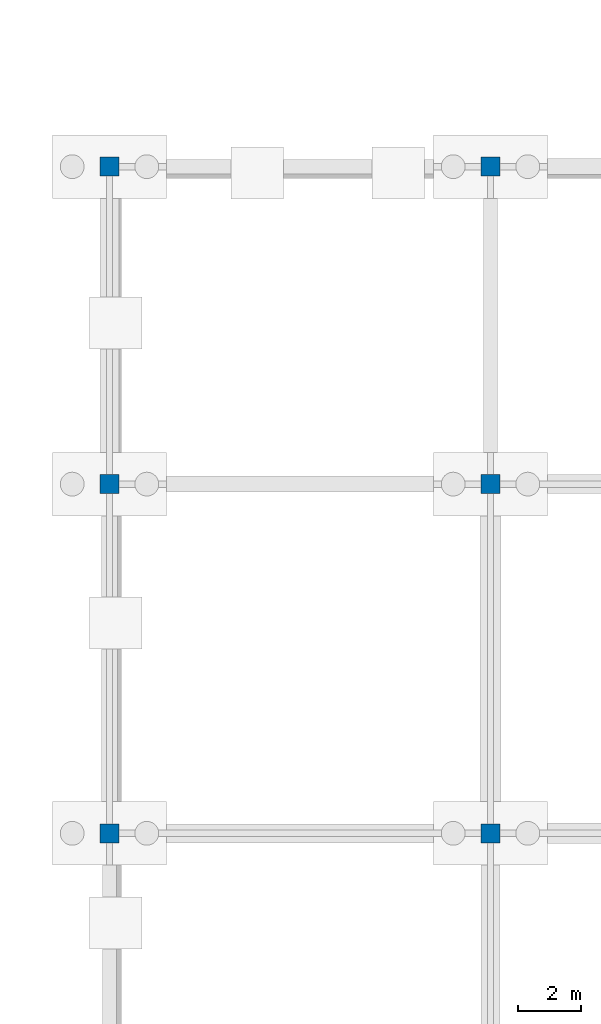
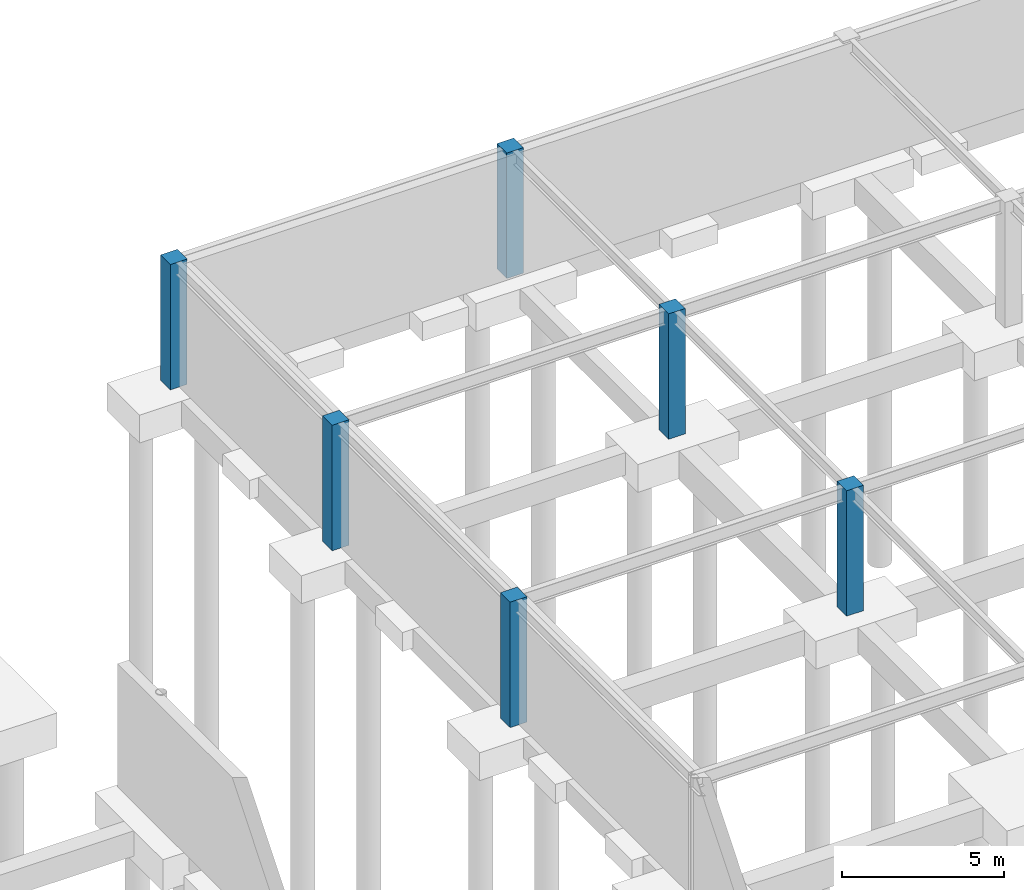
# One storey, part 47 of 75: 6 columns.
"""IFC4 building model written with IfcOpenShell, lengths in metres."""

from ifc_helpers import new_model, si_unit, derived_unit, direction, frame, origin, origin_2d_with_axis, place, context, subcontext, project, spatial, rectangle, extrude, material, material_profile, profile_set, type_object, element, save


model = new_model("IFC4")

# Units and contexts
model_context = context("Model", 3, precision=1e-05, world=origin(), true_north=direction((0.0, 1.0)))
body_context = subcontext(model_context, "Body", "Model", "MODEL_VIEW")
ifc_project = project(units=[si_unit("LENGTHUNIT", "METRE"), si_unit("AREAUNIT", "SQUARE_METRE"), si_unit("VOLUMEUNIT", "CUBIC_METRE"), si_unit("PLANEANGLEUNIT", "RADIAN"), si_unit("MASSUNIT", "GRAM", prefix="KILO"), derived_unit("THERMALTRANSMITTANCEUNIT", [(si_unit("POWERUNIT", "WATT"), 1), (si_unit("LENGTHUNIT", "METRE"), -2), (si_unit("THERMODYNAMICTEMPERATUREUNIT", "KELVIN"), -1)])], contexts=[model_context])

# Site, building, storey
site_placement = place(None, origin())
site = spatial("IfcSite", under=ifc_project, at=site_placement, CompositionType="ELEMENT")
building_placement = place(site_placement, origin())
building = spatial("IfcBuilding", under=site, at=building_placement, Name="Cinnabar Yard Market Hall", CompositionType="ELEMENT")
storey_placement = place(building_placement, frame((0.0, 0.0, -4.5)))
storey = spatial("IfcBuildingStorey", under=building, at=storey_placement, Name="B1", CompositionType="ELEMENT", Elevation=-4.5)

# Columns
ifc_material = material(Name="Concrete 40 MPa", Category="concrete")
ifc_material_profile = material_profile(ifc_material, rectangle(XDim=0.60009765625, YDim=0.60009765625, at=origin_2d_with_axis()), Name="RC-600x600")
ifc_profile_set = profile_set([ifc_material_profile], Name="Concrete 40 MPa")
column_type = type_object("IfcColumnType", Name="COL-RC2", PredefinedType="COLUMN", material=ifc_profile_set)
for number, where, z_axis, x_axis, name in (
    (1, (178.0, 53.0, -0.449951171875), (0.0, 0.0, 1.0), (1.0, 0.0, 0.0), "Service Yard Substructure Pier V4Y-01-01"),
    (2, (178.0, 64.0, -0.449951171875), (0.0, 0.0, 1.0), (1.0, 0.0, 0.0), "Service Yard Substructure Pier V4Y-01-02"),
    (3, (178.0, 74.0, -0.449951171875), (0.0, 0.0, 1.0), (1.0, 0.0, 0.0), "Service Yard Substructure Pier V4Y-01-03"),
    (4, (190.0, 53.0, -0.449951171875), (0.0, 0.0, 1.0), (1.0, 0.0, 0.0), "Service Yard Substructure Pier V4Y-02-01"),
    (5, (190.0, 64.0, -0.449951171875), (0.0, 0.0, 1.0), (1.0, 0.0, 0.0), "Service Yard Substructure Pier V4Y-02-02"),
    (6, (190.0, 74.0, -0.449951171875), (0.0, 0.0, 1.0), (1.0, 0.0, 0.0), "Service Yard Substructure Pier V4Y-02-03"),
):
    element("IfcColumn", number, at=place(storey_placement, frame(where, z_axis=z_axis, x_axis=x_axis)), inside=storey, type_object=column_type, Name=name, PredefinedType="COLUMN", context=body_context, shape_type="SweptSolid", body=[
        extrude(rectangle(XDim=0.60009765625, YDim=0.60009765625, at=origin_2d_with_axis()), origin(), (0.0, 0.0, 1.0), 4.72998046875),
    ])

save(model, "model.ifc")
